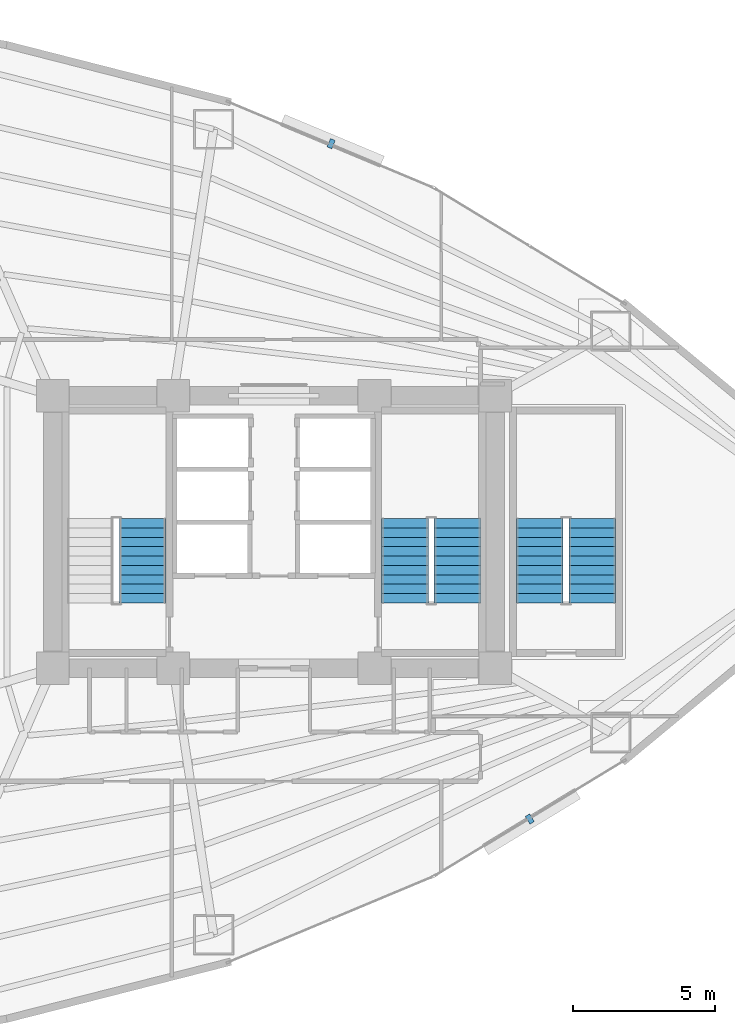
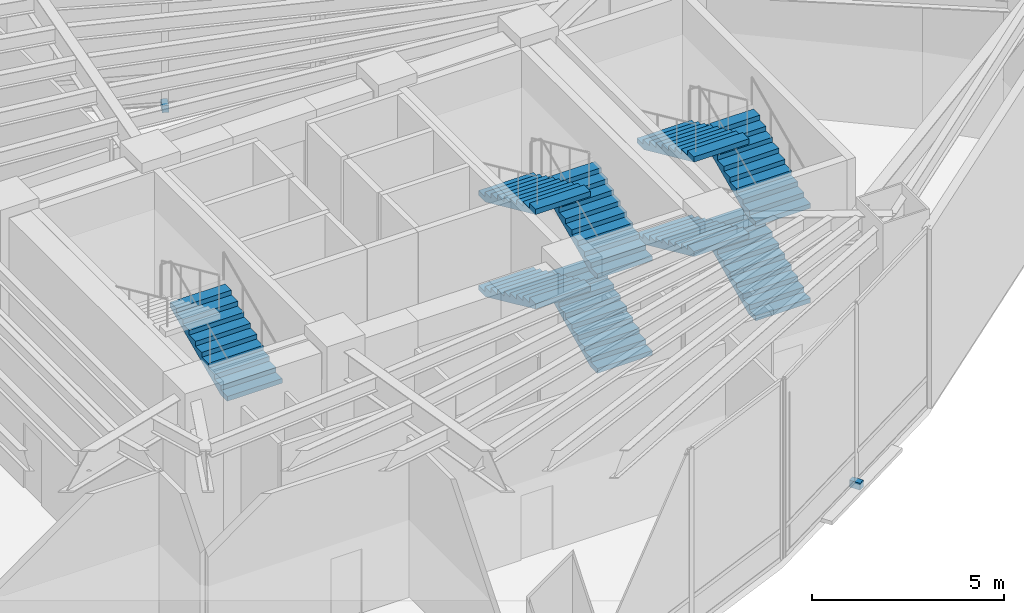
# One storey, part 16 of 19: 9 stair flights, 2 discrete accessories, 3 elements without a shape of their own.
"""IFC4 building model written with IfcOpenShell, lengths in metres."""

from ifc_helpers import new_model, si_unit, direction, frame, origin, origin_2d, place, context, subcontext, project, spatial, polyline, rectangle, outline, extrude, material, type_object, element, aggregate, save


model = new_model("IFC4")

# Units and contexts
model_context = context("Model", 3, precision=1e-05, world=origin(), true_north=direction((0.0, 1.0)))
body_context = subcontext(model_context, "Body", "Model", "MODEL_VIEW")
ifc_project = project(units=[si_unit("LENGTHUNIT", "METRE"), si_unit("AREAUNIT", "SQUARE_METRE"), si_unit("VOLUMEUNIT", "CUBIC_METRE"), si_unit("PLANEANGLEUNIT", "RADIAN"), si_unit("MASSUNIT", "GRAM", prefix="KILO")], contexts=[model_context])

# Site, building, storey
site_placement = place(None, origin())
site = spatial("IfcSite", under=ifc_project, at=site_placement, CompositionType="ELEMENT")
building_placement = place(site_placement, origin())
building = spatial("IfcBuilding", under=site, at=building_placement, Name="Menara Vayukalpa", CompositionType="ELEMENT")
storey_placement = place(building_placement, frame((0.0, 0.0, 12.0)))
storey = spatial("IfcBuildingStorey", under=building, at=storey_placement, Name="L02", CompositionType="ELEMENT", Elevation=12.0)

# Stair, stair flight
ifc_material_1 = material(Name="Precast Concrete C40/50", Category="concrete")
stair_type = type_object("IfcStairType", Name="STR-T03", PredefinedType="DOUBLE_RETURN_STAIR", material=ifc_material_1)
stair_1_placement = place(storey_placement, origin())
stair_1 = element("IfcStair", 1, at=stair_1_placement, inside=storey, type_object=stair_type, Name="L02 Core Exit Stair ST-1", PredefinedType="DOUBLE_RETURN_STAIR")
ifc_material_2 = material(Name="Precast Concrete C40/50", Category="concrete")
stair_flight_type = type_object("IfcStairFlightType", Name="STF-T03", PredefinedType="STRAIGHT", material=ifc_material_2)
stair_flight_1_placement = place(storey_placement, frame((20.97509765625, 19.5, 3.0), z_axis=(0.0, 0.0, 1.0), x_axis=(0.0, 1.0, 0.0)))
stair_flight_1 = element("IfcStairFlight", 2, at=stair_flight_1_placement, type_object=stair_flight_type, Name="ST-1 flight 3", NumberOfRisers=10, NumberOfTreads=9, PredefinedType="STRAIGHT", RiserHeight=0.15, TreadLength=0.33, context=body_context, shape_type="SweptSolid", body=[
    extrude(outline(polyline([(0.0, 0.0), (0.0, 0.14990234375), (0.330078125, 0.14990234375), (0.330078125, 0.300048828125), (0.659912109375, 0.300048828125), (0.659912109375, 0.449951171875), (0.989990234375, 0.449951171875), (0.989990234375, 0.60009765625), (1.320068359375, 0.60009765625), (1.320068359375, 0.75), (1.64990234375, 0.75), (1.64990234375, 0.89990234375), (1.97998046875, 0.89990234375), (1.97998046875, 1.050048828125), (2.31005859375, 1.050048828125), (2.31005859375, 1.199951171875), (2.639892578125, 1.199951171875), (2.639892578125, 1.35009765625), (2.969970703125, 1.35009765625), (2.969970703125, 1.5), (2.969970703125, 1.185302734375), (0.3623046875, 0.0), (0.0, 0.0)])), frame((0.0, 0.824951171875, 0.0), z_axis=(0.0, -1.0, 0.0), x_axis=(1.0, 0.0, 0.0)), (0.0, 0.0, 1.0), 1.64990234375),
])
aggregate(stair_1, [stair_flight_1])

# Stair, stair flights
stair_2_placement = place(storey_placement, origin())
stair_2 = element("IfcStair", 3, at=stair_2_placement, inside=storey, type_object=stair_type, Name="L02 Core Exit Stair ST-2", PredefinedType="DOUBLE_RETURN_STAIR")
stair_flight_2_placement = place(storey_placement, frame((32.074951171875, 19.5, 0.0), z_axis=(0.0, 0.0, 1.0), x_axis=(0.0, 1.0, 0.0)))
stair_flight_2 = element("IfcStairFlight", 4, at=stair_flight_2_placement, type_object=stair_flight_type, Name="ST-2 flight 1", NumberOfRisers=10, NumberOfTreads=9, PredefinedType="STRAIGHT", RiserHeight=0.15, TreadLength=0.33, context=body_context, shape_type="SweptSolid", body=[
    extrude(outline(polyline([(0.0, 0.0), (0.0, 0.14990234375), (0.330078125, 0.14990234375), (0.330078125, 0.300048828125), (0.659912109375, 0.300048828125), (0.659912109375, 0.449951171875), (0.989990234375, 0.449951171875), (0.989990234375, 0.60009765625), (1.320068359375, 0.60009765625), (1.320068359375, 0.75), (1.64990234375, 0.75), (1.64990234375, 0.89990234375), (1.97998046875, 0.89990234375), (1.97998046875, 1.050048828125), (2.31005859375, 1.050048828125), (2.31005859375, 1.199951171875), (2.639892578125, 1.199951171875), (2.639892578125, 1.35009765625), (2.969970703125, 1.35009765625), (2.969970703125, 1.5), (2.969970703125, 1.185302734375), (0.3623046875, 0.0), (0.0, 0.0)])), frame((0.0, 0.824951171875, 0.0), z_axis=(0.0, -1.0, 0.0), x_axis=(1.0, 0.0, 0.0)), (0.0, 0.0, 1.0), 1.64990234375),
])
stair_flight_3_placement = place(storey_placement, frame((30.22509765625, 22.469970703125, 1.5), z_axis=(0.0, 0.0, 1.0), x_axis=(0.0, -1.0, 0.0)))
stair_flight_3 = element("IfcStairFlight", 5, at=stair_flight_3_placement, type_object=stair_flight_type, Name="ST-2 flight 2", NumberOfRisers=10, NumberOfTreads=9, PredefinedType="STRAIGHT", RiserHeight=0.15, TreadLength=0.33, context=body_context, shape_type="SweptSolid", body=[
    extrude(outline(polyline([(0.0, 0.0), (0.0, 0.14990234375), (0.330078125, 0.14990234375), (0.330078125, 0.300048828125), (0.659912109375, 0.300048828125), (0.659912109375, 0.449951171875), (0.989990234375, 0.449951171875), (0.989990234375, 0.60009765625), (1.320068359375, 0.60009765625), (1.320068359375, 0.75), (1.64990234375, 0.75), (1.64990234375, 0.89990234375), (1.97998046875, 0.89990234375), (1.97998046875, 1.050048828125), (2.31005859375, 1.050048828125), (2.31005859375, 1.199951171875), (2.639892578125, 1.199951171875), (2.639892578125, 1.35009765625), (2.969970703125, 1.35009765625), (2.969970703125, 1.5), (2.969970703125, 1.185302734375), (0.3623046875, 0.0), (0.0, 0.0)])), frame((0.0, 0.824951171875, 0.0), z_axis=(0.0, -1.0, 0.0), x_axis=(1.0, 0.0, 0.0)), (0.0, 0.0, 1.0), 1.64990234375),
])
stair_flight_4_placement = place(storey_placement, frame((32.074951171875, 19.5, 3.0), z_axis=(0.0, 0.0, 1.0), x_axis=(0.0, 1.0, 0.0)))
stair_flight_4 = element("IfcStairFlight", 6, at=stair_flight_4_placement, type_object=stair_flight_type, Name="ST-2 flight 3", NumberOfRisers=10, NumberOfTreads=9, PredefinedType="STRAIGHT", RiserHeight=0.15, TreadLength=0.33, context=body_context, shape_type="SweptSolid", body=[
    extrude(outline(polyline([(0.0, 0.0), (0.0, 0.14990234375), (0.330078125, 0.14990234375), (0.330078125, 0.300048828125), (0.659912109375, 0.300048828125), (0.659912109375, 0.449951171875), (0.989990234375, 0.449951171875), (0.989990234375, 0.60009765625), (1.320068359375, 0.60009765625), (1.320068359375, 0.75), (1.64990234375, 0.75), (1.64990234375, 0.89990234375), (1.97998046875, 0.89990234375), (1.97998046875, 1.050048828125), (2.31005859375, 1.050048828125), (2.31005859375, 1.199951171875), (2.639892578125, 1.199951171875), (2.639892578125, 1.35009765625), (2.969970703125, 1.35009765625), (2.969970703125, 1.5), (2.969970703125, 1.185302734375), (0.3623046875, 0.0), (0.0, 0.0)])), frame((0.0, 0.824951171875, 0.0), z_axis=(0.0, -1.0, 0.0), x_axis=(1.0, 0.0, 0.0)), (0.0, 0.0, 1.0), 1.64990234375),
])
stair_flight_5_placement = place(storey_placement, frame((30.22509765625, 22.469970703125, 4.5), z_axis=(0.0, 0.0, 1.0), x_axis=(0.0, -1.0, 0.0)))
stair_flight_5 = element("IfcStairFlight", 7, at=stair_flight_5_placement, type_object=stair_flight_type, Name="ST-2 flight 4", NumberOfRisers=10, NumberOfTreads=9, PredefinedType="STRAIGHT", RiserHeight=0.15, TreadLength=0.33, context=body_context, shape_type="SweptSolid", body=[
    extrude(outline(polyline([(0.0, 0.0), (0.0, 0.14990234375), (0.330078125, 0.14990234375), (0.330078125, 0.300048828125), (0.659912109375, 0.300048828125), (0.659912109375, 0.449951171875), (0.989990234375, 0.449951171875), (0.989990234375, 0.60009765625), (1.320068359375, 0.60009765625), (1.320068359375, 0.75), (1.64990234375, 0.75), (1.64990234375, 0.89990234375), (1.97998046875, 0.89990234375), (1.97998046875, 1.050048828125), (2.31005859375, 1.050048828125), (2.31005859375, 1.199951171875), (2.639892578125, 1.199951171875), (2.639892578125, 1.35009765625), (2.969970703125, 1.35009765625), (2.969970703125, 1.5), (2.969970703125, 1.185302734375), (0.3623046875, 0.0), (0.0, 0.0)])), frame((0.0, 0.824951171875, 0.0), z_axis=(0.0, -1.0, 0.0), x_axis=(1.0, 0.0, 0.0)), (0.0, 0.0, 1.0), 1.64990234375),
])
aggregate(stair_2, [stair_flight_2, stair_flight_3, stair_flight_4, stair_flight_5])

stair_3_placement = place(storey_placement, origin())
stair_3 = element("IfcStair", 8, at=stair_3_placement, inside=storey, type_object=stair_type, Name="L02 Podium Exit Stair ST-3", PredefinedType="DOUBLE_RETURN_STAIR")
stair_flight_6_placement = place(storey_placement, frame((36.824951171875, 19.5, 0.0), z_axis=(0.0, 0.0, 1.0), x_axis=(0.0, 1.0, 0.0)))
stair_flight_6 = element("IfcStairFlight", 9, at=stair_flight_6_placement, type_object=stair_flight_type, Name="ST-3 flight 1", NumberOfRisers=10, NumberOfTreads=9, PredefinedType="STRAIGHT", RiserHeight=0.15, TreadLength=0.33, context=body_context, shape_type="SweptSolid", body=[
    extrude(outline(polyline([(0.0, 0.0), (0.0, 0.14990234375), (0.330078125, 0.14990234375), (0.330078125, 0.300048828125), (0.659912109375, 0.300048828125), (0.659912109375, 0.449951171875), (0.989990234375, 0.449951171875), (0.989990234375, 0.60009765625), (1.320068359375, 0.60009765625), (1.320068359375, 0.75), (1.64990234375, 0.75), (1.64990234375, 0.89990234375), (1.97998046875, 0.89990234375), (1.97998046875, 1.050048828125), (2.31005859375, 1.050048828125), (2.31005859375, 1.199951171875), (2.639892578125, 1.199951171875), (2.639892578125, 1.35009765625), (2.969970703125, 1.35009765625), (2.969970703125, 1.5), (2.969970703125, 1.185302734375), (0.3623046875, 0.0), (0.0, 0.0)])), frame((0.0, 0.824951171875, 0.0), z_axis=(0.0, -1.0, 0.0), x_axis=(1.0, 0.0, 0.0)), (0.0, 0.0, 1.0), 1.64990234375),
])
stair_flight_7_placement = place(storey_placement, frame((34.97509765625, 22.469970703125, 1.5), z_axis=(0.0, 0.0, 1.0), x_axis=(0.0, -1.0, 0.0)))
stair_flight_7 = element("IfcStairFlight", 10, at=stair_flight_7_placement, type_object=stair_flight_type, Name="ST-3 flight 2", NumberOfRisers=10, NumberOfTreads=9, PredefinedType="STRAIGHT", RiserHeight=0.15, TreadLength=0.33, context=body_context, shape_type="SweptSolid", body=[
    extrude(outline(polyline([(0.0, 0.0), (0.0, 0.14990234375), (0.330078125, 0.14990234375), (0.330078125, 0.300048828125), (0.659912109375, 0.300048828125), (0.659912109375, 0.449951171875), (0.989990234375, 0.449951171875), (0.989990234375, 0.60009765625), (1.320068359375, 0.60009765625), (1.320068359375, 0.75), (1.64990234375, 0.75), (1.64990234375, 0.89990234375), (1.97998046875, 0.89990234375), (1.97998046875, 1.050048828125), (2.31005859375, 1.050048828125), (2.31005859375, 1.199951171875), (2.639892578125, 1.199951171875), (2.639892578125, 1.35009765625), (2.969970703125, 1.35009765625), (2.969970703125, 1.5), (2.969970703125, 1.185302734375), (0.3623046875, 0.0), (0.0, 0.0)])), frame((0.0, 0.824951171875, 0.0), z_axis=(0.0, -1.0, 0.0), x_axis=(1.0, 0.0, 0.0)), (0.0, 0.0, 1.0), 1.64990234375),
])
stair_flight_8_placement = place(storey_placement, frame((36.824951171875, 19.5, 3.0), z_axis=(0.0, 0.0, 1.0), x_axis=(0.0, 1.0, 0.0)))
stair_flight_8 = element("IfcStairFlight", 11, at=stair_flight_8_placement, type_object=stair_flight_type, Name="ST-3 flight 3", NumberOfRisers=10, NumberOfTreads=9, PredefinedType="STRAIGHT", RiserHeight=0.15, TreadLength=0.33, context=body_context, shape_type="SweptSolid", body=[
    extrude(outline(polyline([(0.0, 0.0), (0.0, 0.14990234375), (0.330078125, 0.14990234375), (0.330078125, 0.300048828125), (0.659912109375, 0.300048828125), (0.659912109375, 0.449951171875), (0.989990234375, 0.449951171875), (0.989990234375, 0.60009765625), (1.320068359375, 0.60009765625), (1.320068359375, 0.75), (1.64990234375, 0.75), (1.64990234375, 0.89990234375), (1.97998046875, 0.89990234375), (1.97998046875, 1.050048828125), (2.31005859375, 1.050048828125), (2.31005859375, 1.199951171875), (2.639892578125, 1.199951171875), (2.639892578125, 1.35009765625), (2.969970703125, 1.35009765625), (2.969970703125, 1.5), (2.969970703125, 1.185302734375), (0.3623046875, 0.0), (0.0, 0.0)])), frame((0.0, 0.824951171875, 0.0), z_axis=(0.0, -1.0, 0.0), x_axis=(1.0, 0.0, 0.0)), (0.0, 0.0, 1.0), 1.64990234375),
])
stair_flight_9_placement = place(storey_placement, frame((34.97509765625, 22.469970703125, 4.5), z_axis=(0.0, 0.0, 1.0), x_axis=(0.0, -1.0, 0.0)))
stair_flight_9 = element("IfcStairFlight", 12, at=stair_flight_9_placement, type_object=stair_flight_type, Name="ST-3 flight 4", NumberOfRisers=10, NumberOfTreads=9, PredefinedType="STRAIGHT", RiserHeight=0.15, TreadLength=0.33, context=body_context, shape_type="SweptSolid", body=[
    extrude(outline(polyline([(0.0, 0.0), (0.0, 0.14990234375), (0.330078125, 0.14990234375), (0.330078125, 0.300048828125), (0.659912109375, 0.300048828125), (0.659912109375, 0.449951171875), (0.989990234375, 0.449951171875), (0.989990234375, 0.60009765625), (1.320068359375, 0.60009765625), (1.320068359375, 0.75), (1.64990234375, 0.75), (1.64990234375, 0.89990234375), (1.97998046875, 0.89990234375), (1.97998046875, 1.050048828125), (2.31005859375, 1.050048828125), (2.31005859375, 1.199951171875), (2.639892578125, 1.199951171875), (2.639892578125, 1.35009765625), (2.969970703125, 1.35009765625), (2.969970703125, 1.5), (2.969970703125, 1.185302734375), (0.3623046875, 0.0), (0.0, 0.0)])), frame((0.0, 0.824951171875, 0.0), z_axis=(0.0, -1.0, 0.0), x_axis=(1.0, 0.0, 0.0)), (0.0, 0.0, 1.0), 1.64990234375),
])
aggregate(stair_3, [stair_flight_6, stair_flight_7, stair_flight_8, stair_flight_9])

# Discrete accessories
ifc_material_3 = material(Name="Stainless Steel 316 Sunshade Bracket", Category="steel")
discrete_accessory_type = type_object("IfcDiscreteAccessoryType", Name="ACC-BRK1", PredefinedType="BRACKET", material=ifc_material_3)
for number, where, z_axis, x_axis, name in (
    (13, (27.61962890625, 35.68798828125, -0.16015625), (0.0, 0.0, 1.0), (-0.922544824647, 0.385889940938, 0.0), "L02 Terracotta Sunshade Bracket 05"),
    (14, (34.622802734375, 11.878662109375, -0.16015625), (0.0, 0.0, 1.0), (0.85466730962, 0.519176068272, 0.0), "L02 Terracotta Sunshade Bracket 17"),
):
    element("IfcDiscreteAccessory", number, at=place(storey_placement, frame(where, z_axis=z_axis, x_axis=x_axis)), inside=storey, type_object=discrete_accessory_type, Name=name, PredefinedType="BRACKET", context=body_context, shape_type="SweptSolid", body=[
        extrude(rectangle(XDim=0.179931640625, YDim=0.320068359375, at=origin_2d()), origin(), (0.0, 0.0, 1.0), 0.219970703125),
    ])

save(model, "model.ifc")
